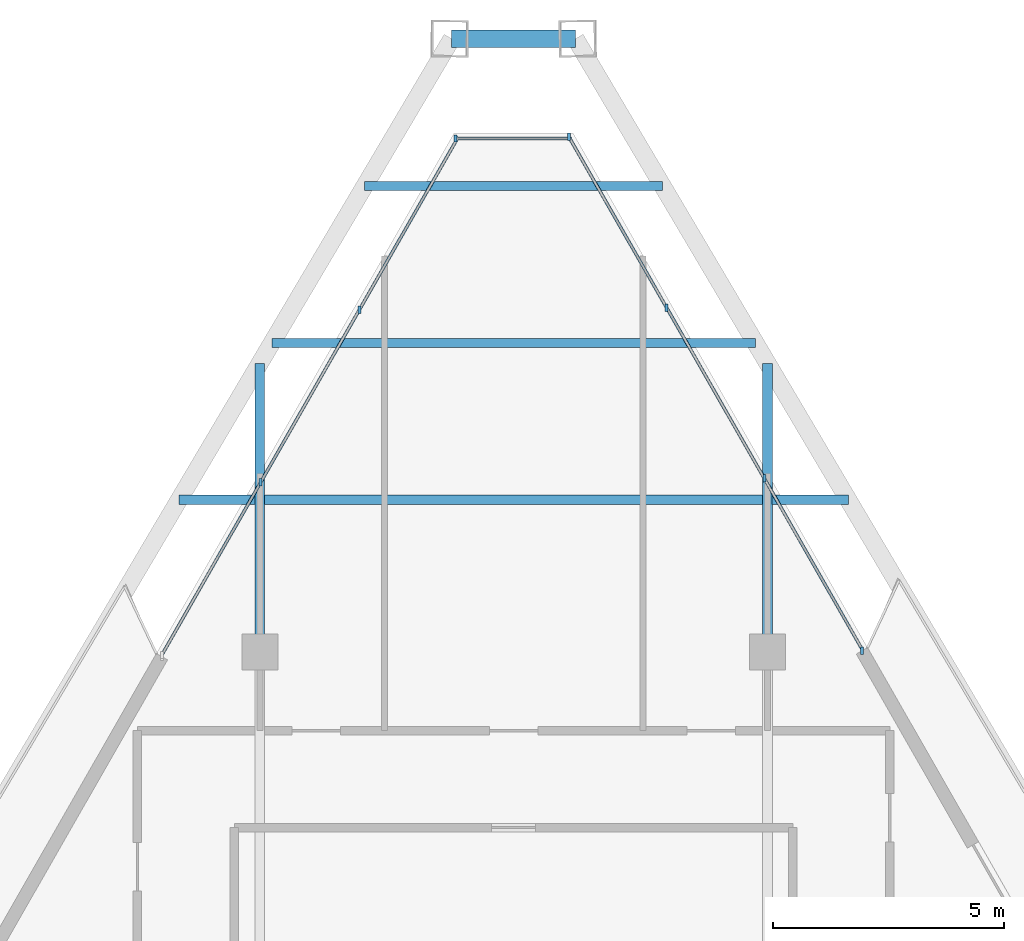
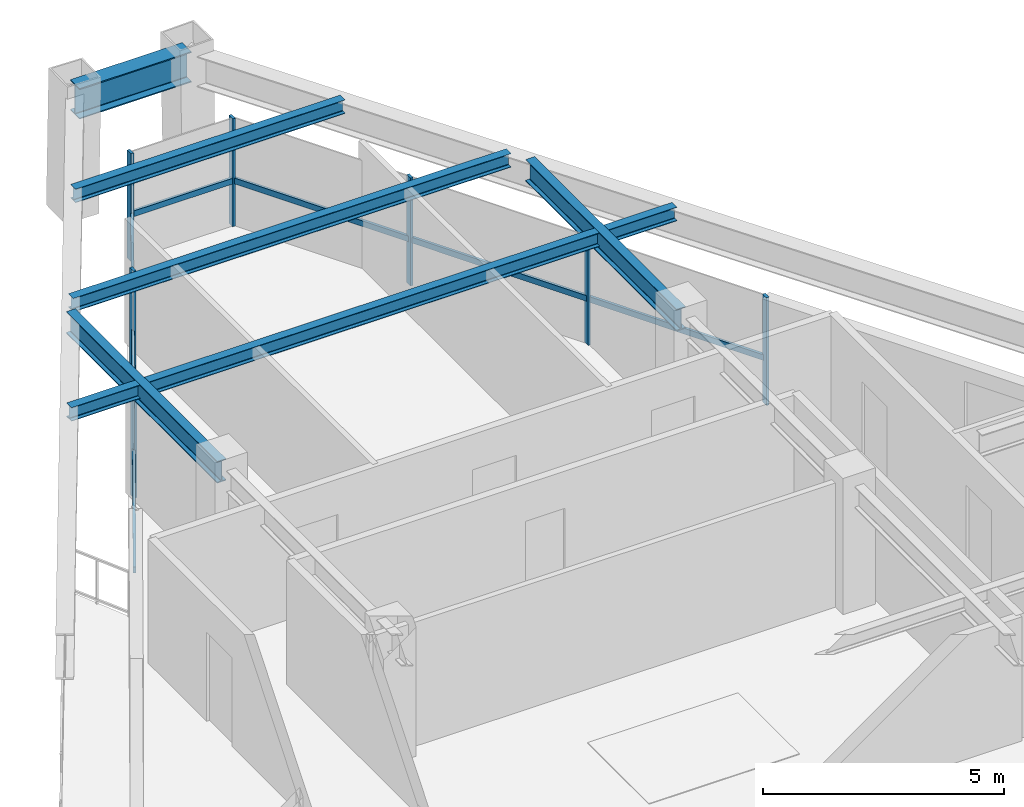
# One storey, part 7 of 13: 14 members, 8 beams, 3 elements without a shape of their own.
"""IFC4 building model written with IfcOpenShell, lengths in metres."""

from ifc_helpers import new_model, si_unit, direction, frame, origin, origin_2d, place, context, subcontext, project, spatial, rectangle, i_section, extrude, source, transform, mapped, material, material_profile, profile_set, type_object, element, aggregate, save


model = new_model("IFC4")

# Units and contexts
model_context = context("Model", 3, precision=1e-05, world=origin(), true_north=direction((0.0, 1.0)))
body_context = subcontext(model_context, "Body", "Model", "MODEL_VIEW")
ifc_project = project(units=[si_unit("LENGTHUNIT", "METRE"), si_unit("AREAUNIT", "SQUARE_METRE"), si_unit("VOLUMEUNIT", "CUBIC_METRE"), si_unit("PLANEANGLEUNIT", "RADIAN"), si_unit("MASSUNIT", "GRAM", prefix="KILO")], contexts=[model_context])

# Site, building, storey
site_placement = place(None, origin())
site = spatial("IfcSite", under=ifc_project, at=site_placement, CompositionType="ELEMENT")
building_placement = place(site_placement, origin())
building = spatial("IfcBuilding", under=site, at=building_placement, Name="Varnakhor Terracotta Tower", CompositionType="ELEMENT")
storey_placement = place(building_placement, frame((0.0, 0.0, 300.60009765625)))
storey = spatial("IfcBuildingStorey", under=building, at=storey_placement, Name="L79", CompositionType="ELEMENT", Elevation=300.60009765625)

# Beams
ifc_material_1 = material(Name="Steel S355", Category="steel")
ifc_material_profile_1 = material_profile(ifc_material_1, i_section(OverallWidth=0.202880859375, OverallDepth=0.346923828125, WebThickness=0.0078125, FlangeThickness=0.013427734375, FilletRadius=0.01806640625, at=origin_2d()), Name="W14X43")
ifc_profile_set_1 = profile_set([ifc_material_profile_1], Name="Steel S355")
beam_type_1 = type_object("IfcBeamType", Name="JST-W14X43", PredefinedType="JOIST", material=ifc_profile_set_1)
shared_shape_1 = source(origin(), body_context, "Body", "SweptSolid", [
    extrude(i_section(OverallWidth=0.202880859375, OverallDepth=0.346923828125, WebThickness=0.0078125, FlangeThickness=0.013427734375, FilletRadius=0.01806640625, at=origin_2d()), origin(), (0.0, 0.0, 1.0), 10.7939453125),
])
beam_1_placement = place(storey_placement, frame((-5.39697265625, 34.800048828125, 2.976318359375), z_axis=(1.0, 0.0, 0.0), x_axis=(0.0, 1.0, 0.0)))
element("IfcBeam", 1, at=beam_1_placement, inside=storey, type_object=beam_type_1, Name="L79 Composite Floor Joist 7-2", PredefinedType="JOIST", context=body_context, shape_type="MappedRepresentation", body=[
    mapped(shared_shape_1, transform((0.0, 0.0, 0.0), scale=1.0)),
])
ifc_material_profile_2 = material_profile(ifc_material_1, i_section(OverallWidth=0.381103515625, OverallDepth=0.77294921875, WebThickness=0.01708984375, FlangeThickness=0.027099609375, FilletRadius=0.01806640625, at=origin_2d()), Name="W30X173")
ifc_profile_set_2 = profile_set([ifc_material_profile_2], Name="Steel S355")
beam_type_2 = type_object("IfcBeamType", Name="BM-W30X173", PredefinedType="BEAM", material=ifc_profile_set_2)
shared_shape_2 = source(origin(), body_context, "Body", "SweptSolid", [
    extrude(i_section(OverallWidth=0.381103515625, OverallDepth=0.77294921875, WebThickness=0.01708984375, FlangeThickness=0.027099609375, FilletRadius=0.01806640625, at=origin_2d()), origin(), (0.0, 0.0, 1.0), 2.681640625),
])
beam_2_placement = place(storey_placement, frame((1.3408203125, 44.791748046875, 2.763427734375), z_axis=(-1.0, 0.0, 0.0), x_axis=(0.0, -1.0, 0.0)))
element("IfcBeam", 2, at=beam_2_placement, inside=storey, type_object=beam_type_2, Name="L79 Perimeter Spandrel 5", PredefinedType="BEAM", context=body_context, shape_type="MappedRepresentation", body=[
    mapped(shared_shape_2, transform((0.0, 0.0, 0.0), scale=1.0)),
])
ifc_material_profile_3 = material_profile(ifc_material_1, i_section(OverallWidth=0.214111328125, OverallDepth=0.549072265625, WebThickness=0.014892578125, FlangeThickness=0.02392578125, FilletRadius=0.01806640625, at=origin_2d()), Name="W21X93")
ifc_profile_set_3 = profile_set([ifc_material_profile_3], Name="Steel S355")
beam_type_3 = type_object("IfcBeamType", Name="BM-W21X93", PredefinedType="BEAM", material=ifc_profile_set_3)
shared_shape_3 = source(origin(), body_context, "Body", "SweptSolid", [
    extrude(i_section(OverallWidth=0.214111328125, OverallDepth=0.549072265625, WebThickness=0.014892578125, FlangeThickness=0.02392578125, FilletRadius=0.01806640625, at=origin_2d()), origin(), (0.0, 0.0, 1.0), 6.260009765625),
])
for number, where, z_axis, x_axis, name in (
    (3, (-5.5, 31.5, 2.87548828125), (0.0, 1.0, 0.0), (-1.0, 0.0, 0.0), "L79 Primary Girder NS3-W"),
    (4, (5.5, 31.5, 2.87548828125), (0.0, 1.0, 0.0), (-1.0, 0.0, 0.0), "L79 Primary Girder NS3-E"),
):
    element("IfcBeam", number, at=place(storey_placement, frame(where, z_axis=z_axis, x_axis=x_axis)), inside=storey, type_object=beam_type_3, Name=name, PredefinedType="BEAM", context=body_context, shape_type="MappedRepresentation", body=[
        mapped(shared_shape_3, transform((0.0, 0.0, 0.0), scale=1.0)),
    ])
shared_shape_4 = source(origin(), body_context, "Body", "SweptSolid", [
    extrude(i_section(OverallWidth=0.202880859375, OverallDepth=0.346923828125, WebThickness=0.0078125, FlangeThickness=0.013427734375, FilletRadius=0.01806640625, at=origin_2d()), origin(), (0.0, 0.0, 1.0), 1.64794921875),
])
for number, where, z_axis, x_axis, name in (
    (5, (-7.2509765625, 34.800048828125, 2.976318359375), (1.0, 0.0, 0.0), (0.0, 1.0, 0.0), "L79 Composite Floor Joist 7-1"),
    (6, (5.60302734375, 34.800048828125, 2.976318359375), (1.0, 0.0, 0.0), (0.0, 1.0, 0.0), "L79 Composite Floor Joist 7-3"),
):
    element("IfcBeam", number, at=place(storey_placement, frame(where, z_axis=z_axis, x_axis=x_axis)), inside=storey, type_object=beam_type_1, Name=name, PredefinedType="JOIST", context=body_context, shape_type="MappedRepresentation", body=[
        mapped(shared_shape_4, transform((0.0, 0.0, 0.0), scale=1.0)),
    ])
shared_shape_5 = source(origin(), body_context, "Body", "SweptSolid", [
    extrude(i_section(OverallWidth=0.202880859375, OverallDepth=0.346923828125, WebThickness=0.0078125, FlangeThickness=0.013427734375, FilletRadius=0.01806640625, at=origin_2d()), origin(), (0.0, 0.0, 1.0), 10.4794921875),
])
beam_3_placement = place(storey_placement, frame((-5.23974609375, 38.199951171875, 2.976318359375), z_axis=(1.0, 0.0, 0.0), x_axis=(0.0, 1.0, 0.0)))
element("IfcBeam", 7, at=beam_3_placement, inside=storey, type_object=beam_type_1, Name="L79 Composite Floor Joist 8-1", PredefinedType="JOIST", context=body_context, shape_type="MappedRepresentation", body=[
    mapped(shared_shape_5, transform((0.0, 0.0, 0.0), scale=1.0)),
])
shared_shape_6 = source(origin(), body_context, "Body", "SweptSolid", [
    extrude(i_section(OverallWidth=0.202880859375, OverallDepth=0.346923828125, WebThickness=0.0078125, FlangeThickness=0.013427734375, FilletRadius=0.01806640625, at=origin_2d()), origin(), (0.0, 0.0, 1.0), 6.45751953125),
])
beam_4_placement = place(storey_placement, frame((-3.228759765625, 41.60009765625, 2.976318359375), z_axis=(1.0, 0.0, 0.0), x_axis=(0.0, 1.0, 0.0)))
element("IfcBeam", 8, at=beam_4_placement, inside=storey, type_object=beam_type_1, Name="L79 Composite Floor Joist 9-1", PredefinedType="JOIST", context=body_context, shape_type="MappedRepresentation", body=[
    mapped(shared_shape_6, transform((0.0, 0.0, 0.0), scale=1.0)),
])

# Curtain wall, members
ifc_material_2 = material(Name="Anodised Aluminium Curtain Wall System", Category="aluminium")
curtain_wall_type = type_object("IfcCurtainWallType", Name="CW-SYS-HOTEL-LOGGIA", PredefinedType="NOTDEFINED", material=ifc_material_2)
curtain_wall_1_placement = place(storey_placement, origin())
curtain_wall_1 = element("IfcCurtainWall", 9, at=curtain_wall_1_placement, inside=storey, type_object=curtain_wall_type, Name="L79 W Facet Curtain Wall 2", PredefinedType="NOTDEFINED")
ifc_material_3 = material(Name="Anodised Aluminium 6063-T6", Category="aluminium")
ifc_material_profile_4 = material_profile(ifc_material_3, rectangle(XDim=0.06494140625, YDim=0.159912109375, at=origin_2d()), Name="ALU MULLION 65x160")
ifc_profile_set_4 = profile_set([ifc_material_profile_4], Name="Anodised Aluminium 6063-T6")
member_type_1 = type_object("IfcMemberType", Name="CWM-04", PredefinedType="MULLION", material=ifc_profile_set_4)
shared_shape_7 = source(origin(), body_context, "Body", "SweptSolid", [
    extrude(rectangle(XDim=0.06494140625, YDim=0.159912109375, at=origin_2d()), origin(), (0.0, 0.0, 1.0), 2.72998046875),
])
member_1_placement = place(storey_placement, frame((-5.48046875, 35.18115234375, 0.0), z_axis=(0.0, 0.0, 1.0), x_axis=(1.0, 0.0, 0.0)))
member_1 = element("IfcMember", 10, at=member_1_placement, type_object=member_type_1, Name="L79 W Facet Curtain Wall 2 Mullion 2", PredefinedType="MULLION", context=body_context, shape_type="MappedRepresentation", body=[
    mapped(shared_shape_7, transform((0.0, 0.0, 0.0), scale=1.0)),
])
member_2_placement = place(storey_placement, frame((-3.33935546875, 38.922607421875, 0.0), z_axis=(0.0, 0.0, 1.0), x_axis=(1.0, 0.0, 0.0)))
member_2 = element("IfcMember", 11, at=member_2_placement, type_object=member_type_1, Name="L79 W Facet Curtain Wall 2 Mullion 3", PredefinedType="MULLION", context=body_context, shape_type="MappedRepresentation", body=[
    mapped(shared_shape_7, transform((0.0, 0.0, 0.0), scale=1.0)),
])

# Curtain wall, member
curtain_wall_2_placement = place(storey_placement, origin())
curtain_wall_2 = element("IfcCurtainWall", 12, at=curtain_wall_2_placement, inside=storey, type_object=curtain_wall_type, Name="L79 Facet Curtain Wall 2", PredefinedType="NOTDEFINED")
member_3_placement = place(storey_placement, frame((-1.257568359375, 42.6298828125, 0.0), z_axis=(0.0, 0.0, 1.0), x_axis=(1.0, 0.0, 0.0)))
member_3 = element("IfcMember", 13, at=member_3_placement, type_object=member_type_1, Name="L79 Facet Curtain Wall 2 Mullion 1", PredefinedType="MULLION", context=body_context, shape_type="MappedRepresentation", body=[
    mapped(shared_shape_7, transform((0.0, 0.0, 0.0), scale=1.0)),
])

# Curtain wall, members
curtain_wall_3_placement = place(storey_placement, origin())
curtain_wall_3 = element("IfcCurtainWall", 14, at=curtain_wall_3_placement, inside=storey, type_object=curtain_wall_type, Name="L79 E Facet Curtain Wall 1", PredefinedType="NOTDEFINED")
member_4_placement = place(storey_placement, frame((1.1982421875, 42.664306640625, 0.0), z_axis=(0.0, 0.0, 1.0), x_axis=(1.0, 0.0, 0.0)))
member_4 = element("IfcMember", 15, at=member_4_placement, type_object=member_type_1, Name="L79 E Facet Curtain Wall 1 Mullion 1", PredefinedType="MULLION", context=body_context, shape_type="MappedRepresentation", body=[
    mapped(shared_shape_7, transform((0.0, 0.0, 0.0), scale=1.0)),
])
member_5_placement = place(storey_placement, frame((3.315185546875, 38.964599609375, 0.0), z_axis=(0.0, 0.0, 1.0), x_axis=(1.0, 0.0, 0.0)))
member_5 = element("IfcMember", 16, at=member_5_placement, type_object=member_type_1, Name="L79 E Facet Curtain Wall 1 Mullion 2", PredefinedType="MULLION", context=body_context, shape_type="MappedRepresentation", body=[
    mapped(shared_shape_7, transform((0.0, 0.0, 0.0), scale=1.0)),
])
member_6_placement = place(storey_placement, frame((5.432373046875, 35.26513671875, 0.0), z_axis=(0.0, 0.0, 1.0), x_axis=(1.0, 0.0, 0.0)))
member_6 = element("IfcMember", 17, at=member_6_placement, type_object=member_type_1, Name="L79 E Facet Curtain Wall 1 Mullion 3", PredefinedType="MULLION", context=body_context, shape_type="MappedRepresentation", body=[
    mapped(shared_shape_7, transform((0.0, 0.0, 0.0), scale=1.0)),
])
member_7_placement = place(storey_placement, frame((7.546875, 31.529541015625, 0.0), z_axis=(0.0, 0.0, 1.0), x_axis=(1.0, 0.0, 0.0)))
member_7 = element("IfcMember", 18, at=member_7_placement, type_object=member_type_1, Name="L79 E Loggia Jamb Closure Mullion 1", PredefinedType="MULLION", context=body_context, shape_type="MappedRepresentation", body=[
    mapped(shared_shape_7, transform((0.0, 0.0, 0.0), scale=1.0)),
])

# Member
ifc_material_profile_5 = material_profile(ifc_material_3, rectangle(XDim=0.06494140625, YDim=0.14501953125, at=origin_2d()), Name="ALU TRANSOM 65x145")
ifc_profile_set_5 = profile_set([ifc_material_profile_5], Name="Anodised Aluminium 6063-T6")
member_type_2 = type_object("IfcMemberType", Name="CWT-04", PredefinedType="USERDEFINED", material=ifc_profile_set_5)
shared_shape_8 = source(origin(), body_context, "Body", "SweptSolid", [
    extrude(rectangle(XDim=0.06494140625, YDim=0.14501953125, at=origin_2d()), origin(), (0.0, 0.0, 1.0), 4.310791015625),
])
member_8_placement = place(storey_placement, frame((-7.621337890625, 31.439453125, 1.146484375), z_axis=(0.496620683831, 0.867967681651, 0.0), x_axis=(-0.867967681651, 0.496620683831, 0.0)))
member_8 = element("IfcMember", 19, at=member_8_placement, type_object=member_type_2, Name="L79 W Facet Curtain Wall 2 Transom 1", ObjectType="TRANSOM", PredefinedType="USERDEFINED", context=body_context, shape_type="MappedRepresentation", body=[
    mapped(shared_shape_8, transform((0.0, 0.0, 0.0), scale=1.0)),
])

member_9_placement = place(storey_placement, frame((-5.48046875, 35.18115234375, 1.146484375), z_axis=(0.496687761735, 0.867929298585, 0.0), x_axis=(-0.867929298585, 0.496687761735, 0.0)))
member_9 = element("IfcMember", 20, at=member_9_placement, type_object=member_type_2, Name="L79 W Facet Curtain Wall 2 Transom 2", ObjectType="TRANSOM", PredefinedType="USERDEFINED", context=body_context, shape_type="MappedRepresentation", body=[
    mapped(shared_shape_8, transform((0.0, 0.0, 0.0), scale=1.0)),
])

shared_shape_9 = source(origin(), body_context, "Body", "SweptSolid", [
    extrude(rectangle(XDim=0.06494140625, YDim=0.14501953125, at=origin_2d()), origin(), (0.0, 0.0, 1.0), 4.31103515625),
])
member_10_placement = place(storey_placement, frame((-3.33935546875, 38.922607421875, 1.146484375), z_axis=(0.496663348023, 0.867943269304, 0.0), x_axis=(-0.867943269304, 0.496663348023, 0.0)))
member_10 = element("IfcMember", 21, at=member_10_placement, type_object=member_type_2, Name="L79 W Facet Curtain Wall 2 Transom 3", ObjectType="TRANSOM", PredefinedType="USERDEFINED", context=body_context, shape_type="MappedRepresentation", body=[
    mapped(shared_shape_9, transform((0.0, 0.0, 0.0), scale=1.0)),
])

aggregate(curtain_wall_1, [member_8, member_1, member_9, member_2, member_10])

shared_shape_10 = source(origin(), body_context, "Body", "SweptSolid", [
    extrude(rectangle(XDim=0.06494140625, YDim=0.14501953125, at=origin_2d()), origin(), (0.0, 0.0, 1.0), 2.51513671875),
])
member_11_placement = place(storey_placement, frame((-1.257568359375, 42.6298828125, 1.146484375), z_axis=(1.0, 0.0, 0.0), x_axis=(0.0, 1.0, 0.0)))
member_11 = element("IfcMember", 22, at=member_11_placement, type_object=member_type_2, Name="L79 Facet Curtain Wall 2 Transom 1", ObjectType="TRANSOM", PredefinedType="USERDEFINED", context=body_context, shape_type="MappedRepresentation", body=[
    mapped(shared_shape_10, transform((0.0, 0.0, 0.0), scale=1.0)),
])

aggregate(curtain_wall_2, [member_3, member_11])

shared_shape_11 = source(origin(), body_context, "Body", "SweptSolid", [
    extrude(rectangle(XDim=0.06494140625, YDim=0.14501953125, at=origin_2d()), origin(), (0.0, 0.0, 1.0), 4.262451171875),
])
member_12_placement = place(storey_placement, frame((1.1982421875, 42.664306640625, 1.146484375), z_axis=(0.496638477438, -0.867957500531, 0.0), x_axis=(0.867957500531, 0.496638477438, 0.0)))
member_12 = element("IfcMember", 23, at=member_12_placement, type_object=member_type_2, Name="L79 E Facet Curtain Wall 1 Transom 1", ObjectType="TRANSOM", PredefinedType="USERDEFINED", context=body_context, shape_type="MappedRepresentation", body=[
    mapped(shared_shape_11, transform((0.0, 0.0, 0.0), scale=1.0)),
])

member_13_placement = place(storey_placement, frame((3.315185546875, 38.964599609375, 1.146484375), z_axis=(0.496706315472, -0.867918680621, 0.0), x_axis=(0.867918680621, 0.496706315472, 0.0)))
member_13 = element("IfcMember", 24, at=member_13_placement, type_object=member_type_2, Name="L79 E Facet Curtain Wall 1 Transom 2", ObjectType="TRANSOM", PredefinedType="USERDEFINED", context=body_context, shape_type="MappedRepresentation", body=[
    mapped(shared_shape_11, transform((0.0, 0.0, 0.0), scale=1.0)),
])

member_14_placement = place(storey_placement, frame((5.432373046875, 35.26513671875, 1.146484375), z_axis=(0.496638477438, -0.867957500531, 0.0), x_axis=(0.867957500531, 0.496638477438, 0.0)))
member_14 = element("IfcMember", 25, at=member_14_placement, type_object=member_type_2, Name="L79 E Facet Curtain Wall 1 Transom 3", ObjectType="TRANSOM", PredefinedType="USERDEFINED", context=body_context, shape_type="MappedRepresentation", body=[
    mapped(shared_shape_11, transform((0.0, 0.0, 0.0), scale=1.0)),
])

aggregate(curtain_wall_3, [member_4, member_12, member_5, member_13, member_6, member_14, member_7])

save(model, "model.ifc")
